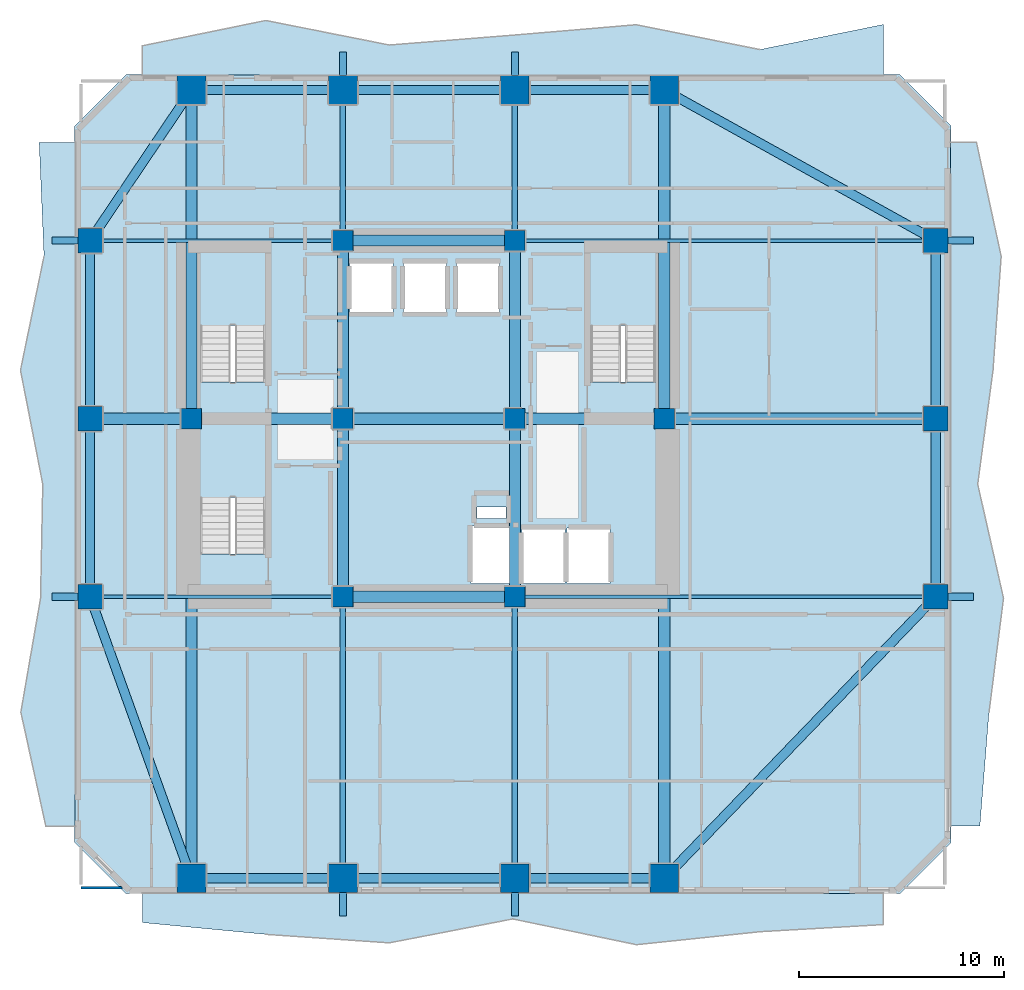
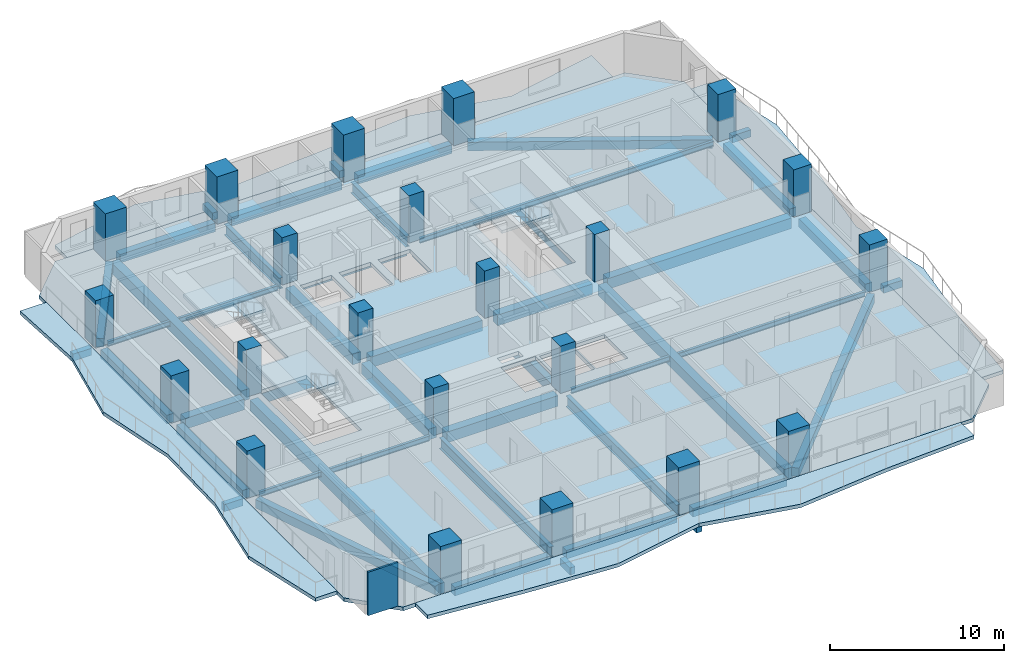
# One storey, part 1 of 10: 45 beams, 22 columns, 8 slabs, 1 wall, 3 elements without a shape of their own.
"""IFC4 building model written with IfcOpenShell, lengths in metres."""

from ifc_helpers import new_model, si_unit, direction, frame, frame_2d, origin, origin_2d, place, context, subcontext, project, spatial, polyline, rectangle, i_section, outline, extrude, material, layer, layer_set, material_profile, profile_set, type_object, element, aggregate, save


model = new_model("IFC4")

# Units and contexts
model_context = context("Model", 3, precision=1e-05, world=origin(), true_north=direction((0.0, 1.0)))
body_context = subcontext(model_context, "Body", "Model", "MODEL_VIEW")
ifc_project = project(units=[si_unit("LENGTHUNIT", "METRE"), si_unit("AREAUNIT", "SQUARE_METRE"), si_unit("VOLUMEUNIT", "CUBIC_METRE"), si_unit("PLANEANGLEUNIT", "RADIAN"), si_unit("MASSUNIT", "GRAM", prefix="KILO")], contexts=[model_context])

# Site, building, storey
site_placement = place(None, origin())
site = spatial("IfcSite", under=ifc_project, at=site_placement, CompositionType="ELEMENT")
building_placement = place(site_placement, origin())
building = spatial("IfcBuilding", under=site, at=building_placement, Name="Solanera Arch Residences", CompositionType="ELEMENT")
storey_placement = place(building_placement, frame((0.0, 0.0, 51.8798828125)))
storey = spatial("IfcBuildingStorey", under=building, at=storey_placement, Name="L14", CompositionType="ELEMENT", Elevation=51.8798828125)

# Columns
ifc_material_1 = material(Name="Concrete C55/67 (f'c = 60 MPa)", Category="concrete")
ifc_material_profile_1 = material_profile(ifc_material_1, rectangle(XDim=1.0, YDim=1.0, at=origin_2d()))
ifc_profile_set_1 = profile_set([ifc_material_profile_1], Name="Concrete C55/67 (f'c = 60 MPa)")
column_type_1 = type_object("IfcColumnType", Name="Structural Column RC-COL-1000X1000", PredefinedType="COLUMN", material=ifc_profile_set_1)
for number, where, z_axis, x_axis, name in (
    (1, (20.800048828125, 22.0, 0.0), (0.0, 0.0, 1.0), (1.0, 0.0, 0.0), "COL-L14-CB-SW"),
    (2, (29.199951171875, 22.0, 0.0), (0.0, 0.0, 1.0), (1.0, 0.0, 0.0), "COL-L14-CB-SE"),
    (3, (20.800048828125, 39.39990234375, 0.0), (0.0, 0.0, 1.0), (1.0, 0.0, 0.0), "COL-L14-CB-NW"),
    (4, (29.199951171875, 39.39990234375, 0.0), (0.0, 0.0, 1.0), (1.0, 0.0, 0.0), "COL-L14-CB-NE"),
    (5, (13.39990234375, 30.699951171875, 0.0), (0.0, 0.0, 1.0), (1.0, 0.0, 0.0), "COL-L14-CB-WW"),
    (6, (36.5, 30.699951171875, 0.0), (0.0, 0.0, 1.0), (1.0, 0.0, 0.0), "COL-L14-CB-EE"),
    (7, (20.800048828125, 30.699951171875, 0.0), (0.0, 0.0, 1.0), (1.0, 0.0, 0.0), "COL-L14-CORE-W"),
    (8, (29.199951171875, 30.699951171875, 0.0), (0.0, 0.0, 1.0), (1.0, 0.0, 0.0), "COL-L14-CORE-E"),
):
    element("IfcColumn", number, at=place(storey_placement, frame(where, z_axis=z_axis, x_axis=x_axis)), inside=storey, type_object=column_type_1, Name=name, PredefinedType="COLUMN", context=body_context, shape_type="SweptSolid", body=[
        extrude(rectangle(XDim=1.0, YDim=1.0, at=origin_2d()), origin(), (0.0, 0.0, 1.0), 3.320068359375),
    ])
ifc_material_2 = material(Name="Concrete C55/67 (f'c = 60 MPa)", Category="concrete")
ifc_material_profile_2 = material_profile(ifc_material_2, rectangle(XDim=1.199951171875, YDim=1.199951171875, at=origin_2d()))
ifc_profile_set_2 = profile_set([ifc_material_profile_2], Name="Concrete C55/67 (f'c = 60 MPa)")
column_type_2 = type_object("IfcColumnType", Name="Structural Column RC-COL-1200X1200", PredefinedType="COLUMN", material=ifc_profile_set_2)
for number, where, z_axis, x_axis, name in (
    (9, (8.449951171875, 22.0, 0.0), (0.0, 0.0, 1.0), (1.0, 0.0, 0.0), "COL-L14-TWR-09"),
    (10, (49.75, 22.0, 0.0), (0.0, 0.0, 1.0), (1.0, 0.0, 0.0), "COL-L14-TWR-10"),
    (11, (8.449951171875, 30.699951171875, 0.0), (0.0, 0.0, 1.0), (1.0, 0.0, 0.0), "COL-L14-TWR-11"),
    (12, (49.75, 30.699951171875, 0.0), (0.0, 0.0, 1.0), (1.0, 0.0, 0.0), "COL-L14-TWR-12"),
    (13, (8.449951171875, 39.39990234375, 0.0), (0.0, 0.0, 1.0), (1.0, 0.0, 0.0), "COL-L14-TWR-13"),
    (14, (49.75, 39.39990234375, 0.0), (0.0, 0.0, 1.0), (1.0, 0.0, 0.0), "COL-L14-TWR-14"),
):
    element("IfcColumn", number, at=place(storey_placement, frame(where, z_axis=z_axis, x_axis=x_axis)), inside=storey, type_object=column_type_2, Name=name, PredefinedType="COLUMN", context=body_context, shape_type="SweptSolid", body=[
        extrude(rectangle(XDim=1.199951171875, YDim=1.199951171875, at=origin_2d()), origin(), (0.0, 0.0, 1.0), 3.320068359375),
    ])
ifc_material_3 = material(Name="Concrete C55/67 (f'c = 60 MPa)", Category="concrete")
ifc_material_profile_3 = material_profile(ifc_material_3, rectangle(XDim=1.39990234375, YDim=1.39990234375, at=origin_2d()))
ifc_profile_set_3 = profile_set([ifc_material_profile_3], Name="Concrete C55/67 (f'c = 60 MPa)")
column_type_3 = type_object("IfcColumnType", Name="Structural Column RC-COL-1400X1400", PredefinedType="COLUMN", material=ifc_profile_set_3)
for number, where, z_axis, x_axis, name in (
    (15, (13.39990234375, 8.25, 0.0), (0.0, 0.0, 1.0), (1.0, 0.0, 0.0), "COL-L14-TWR-01"),
    (16, (13.39990234375, 46.75, 0.0), (0.0, 0.0, 1.0), (1.0, 0.0, 0.0), "COL-L14-TWR-02"),
    (17, (20.800048828125, 8.25, 0.0), (0.0, 0.0, 1.0), (1.0, 0.0, 0.0), "COL-L14-TWR-03"),
    (18, (20.800048828125, 46.75, 0.0), (0.0, 0.0, 1.0), (1.0, 0.0, 0.0), "COL-L14-TWR-04"),
    (19, (29.199951171875, 8.25, 0.0), (0.0, 0.0, 1.0), (1.0, 0.0, 0.0), "COL-L14-TWR-05"),
    (20, (29.199951171875, 46.75, 0.0), (0.0, 0.0, 1.0), (1.0, 0.0, 0.0), "COL-L14-TWR-06"),
    (21, (36.5, 8.25, 0.0), (0.0, 0.0, 1.0), (1.0, 0.0, 0.0), "COL-L14-TWR-07"),
    (22, (36.5, 46.75, 0.0), (0.0, 0.0, 1.0), (1.0, 0.0, 0.0), "COL-L14-TWR-08"),
):
    element("IfcColumn", number, at=place(storey_placement, frame(where, z_axis=z_axis, x_axis=x_axis)), inside=storey, type_object=column_type_3, Name=name, PredefinedType="COLUMN", context=body_context, shape_type="SweptSolid", body=[
        extrude(rectangle(XDim=1.39990234375, YDim=1.39990234375, at=origin_2d()), origin(), (0.0, 0.0, 1.0), 3.320068359375),
    ])

# Beams
ifc_material_4 = material(Name="Concrete C40/50 (f'c = 45 MPa)", Category="concrete")
ifc_material_profile_4 = material_profile(ifc_material_4, rectangle(XDim=0.35009765625, YDim=0.5, at=origin_2d()))
ifc_profile_set_4 = profile_set([ifc_material_profile_4], Name="Concrete C40/50 (f'c = 45 MPa)")
beam_type_1 = type_object("IfcBeamType", Name="BM-BALC-RIB", PredefinedType="BEAM", material=ifc_profile_set_4)
for number, where, z_axis, x_axis, name in (
    (23, (20.800048828125, 6.39990234375, -0.5), (0.0, 1.0, 0.0), (-1.0, 0.0, 0.0), "BM-L14-BRIB-S1"),
    (24, (29.199951171875, 6.39990234375, -0.5), (0.0, 1.0, 0.0), (-1.0, 0.0, 0.0), "BM-L14-BRIB-S2"),
    (25, (20.800048828125, 47.449951171875, -0.5), (0.0, 1.0, 0.0), (-1.0, 0.0, 0.0), "BM-L14-BRIB-N1"),
    (26, (29.199951171875, 47.449951171875, -0.5), (0.0, 1.0, 0.0), (-1.0, 0.0, 0.0), "BM-L14-BRIB-N2"),
):
    element("IfcBeam", number, at=place(storey_placement, frame(where, z_axis=z_axis, x_axis=x_axis)), inside=storey, type_object=beam_type_1, Name=name, PredefinedType="BEAM", context=body_context, shape_type="SweptSolid", body=[
        extrude(rectangle(XDim=0.35009765625, YDim=0.5, at=origin_2d()), origin(), (0.0, 0.0, 1.0), 1.150146484375),
    ])
for number, where, z_axis, x_axis, name in (
    (27, (50.35009765625, 22.0, -0.5), (1.0, 0.0, 0.0), (0.0, 1.0, 0.0), "BM-L14-BRIB-E1"),
    (28, (50.35009765625, 39.39990234375, -0.5), (1.0, 0.0, 0.0), (0.0, 1.0, 0.0), "BM-L14-BRIB-E2"),
    (29, (6.60009765625, 22.0, -0.5), (1.0, 0.0, 0.0), (0.0, 1.0, 0.0), "BM-L14-BRIB-W1"),
    (30, (6.60009765625, 39.39990234375, -0.5), (1.0, 0.0, 0.0), (0.0, 1.0, 0.0), "BM-L14-BRIB-W2"),
):
    element("IfcBeam", number, at=place(storey_placement, frame(where, z_axis=z_axis, x_axis=x_axis)), inside=storey, type_object=beam_type_1, Name=name, PredefinedType="BEAM", context=body_context, shape_type="SweptSolid", body=[
        extrude(rectangle(XDim=0.35009765625, YDim=0.5, at=origin_2d()), origin(), (0.0, 0.0, 1.0), 1.25),
    ])
ifc_material_5 = material(Name="Concrete C40/50 (f'c = 45 MPa)", Category="concrete")
ifc_material_profile_5 = material_profile(ifc_material_5, rectangle(XDim=0.550048828125, YDim=0.75, at=origin_2d()))
ifc_profile_set_5 = profile_set([ifc_material_profile_5], Name="Concrete C40/50 (f'c = 45 MPa)")
beam_type_2 = type_object("IfcBeamType", Name="Primary Beam RC-BM-550X750", PredefinedType="BEAM", material=ifc_profile_set_5)
beam_1_placement = place(storey_placement, frame((20.800048828125, 22.50390625, -0.634765625), z_axis=(0.0, 1.0, 0.0), x_axis=(-1.0, 0.0, 0.0)))
element("IfcBeam", 31, at=beam_1_placement, inside=storey, type_object=beam_type_2, Name="BM-L14-CC-S-208", PredefinedType="BEAM", context=body_context, shape_type="SweptSolid", body=[
    extrude(rectangle(XDim=0.550048828125, YDim=0.75, at=origin_2d()), origin(), (0.0, 0.0, 1.0), 7.692138671875),
])
beam_2_placement = place(storey_placement, frame((20.800048828125, 31.2041015625, -0.634765625), z_axis=(0.0, 1.0, 0.0), x_axis=(-1.0, 0.0, 0.0)))
element("IfcBeam", 32, at=beam_2_placement, inside=storey, type_object=beam_type_2, Name="BM-L14-CC-N-208", PredefinedType="BEAM", context=body_context, shape_type="SweptSolid", body=[
    extrude(rectangle(XDim=0.550048828125, YDim=0.75, at=origin_2d()), origin(), (0.0, 0.0, 1.0), 7.69189453125),
])
beam_3_placement = place(storey_placement, frame((29.199951171875, 22.50390625, -0.634765625), z_axis=(0.0, 1.0, 0.0), x_axis=(-1.0, 0.0, 0.0)))
element("IfcBeam", 33, at=beam_3_placement, inside=storey, type_object=beam_type_2, Name="BM-L14-CC-S-292", PredefinedType="BEAM", context=body_context, shape_type="SweptSolid", body=[
    extrude(rectangle(XDim=0.550048828125, YDim=0.75, at=origin_2d()), origin(), (0.0, 0.0, 1.0), 7.692138671875),
])
beam_4_placement = place(storey_placement, frame((29.199951171875, 31.2041015625, -0.634765625), z_axis=(0.0, 1.0, 0.0), x_axis=(-1.0, 0.0, 0.0)))
element("IfcBeam", 34, at=beam_4_placement, inside=storey, type_object=beam_type_2, Name="BM-L14-CC-N-292", PredefinedType="BEAM", context=body_context, shape_type="SweptSolid", body=[
    extrude(rectangle(XDim=0.550048828125, YDim=0.75, at=origin_2d()), origin(), (0.0, 0.0, 1.0), 7.69189453125),
])
for number, where, z_axis, x_axis, name in (
    (35, (21.303955078125, 22.0, -0.634765625), (1.0, 0.0, 0.0), (0.0, 1.0, 0.0), "BM-L14-CC-M-220"),
    (36, (21.303955078125, 30.699951171875, -0.634765625), (1.0, 0.0, 0.0), (0.0, 1.0, 0.0), "BM-L14-CC-M-307"),
    (37, (21.303955078125, 39.39990234375, -0.634765625), (1.0, 0.0, 0.0), (0.0, 1.0, 0.0), "BM-L14-CC-M-394"),
):
    element("IfcBeam", number, at=place(storey_placement, frame(where, z_axis=z_axis, x_axis=x_axis)), inside=storey, type_object=beam_type_2, Name=name, PredefinedType="BEAM", context=body_context, shape_type="SweptSolid", body=[
        extrude(rectangle(XDim=0.550048828125, YDim=0.75, at=origin_2d()), origin(), (0.0, 0.0, 1.0), 7.39208984375),
    ])
beam_5_placement = place(storey_placement, frame((13.904052734375, 30.699951171875, -0.634765625), z_axis=(1.0, 0.0, 0.0), x_axis=(0.0, 1.0, 0.0)))
element("IfcBeam", 38, at=beam_5_placement, inside=storey, type_object=beam_type_2, Name="BM-L14-CC-W", PredefinedType="BEAM", context=body_context, shape_type="SweptSolid", body=[
    extrude(rectangle(XDim=0.550048828125, YDim=0.75, at=origin_2d()), origin(), (0.0, 0.0, 1.0), 6.391845703125),
])
beam_6_placement = place(storey_placement, frame((29.7041015625, 30.699951171875, -0.634765625), z_axis=(1.0, 0.0, 0.0), x_axis=(0.0, 1.0, 0.0)))
element("IfcBeam", 39, at=beam_6_placement, inside=storey, type_object=beam_type_2, Name="BM-L14-CC-E", PredefinedType="BEAM", context=body_context, shape_type="SweptSolid", body=[
    extrude(rectangle(XDim=0.550048828125, YDim=0.75, at=origin_2d()), origin(), (0.0, 0.0, 1.0), 6.2919921875),
])
beam_7_placement = place(storey_placement, frame((13.39990234375, 8.7900390625, -0.634765625), z_axis=(0.0, 1.0, 0.0), x_axis=(-1.0, 0.0, 0.0)))
element("IfcBeam", 40, at=beam_7_placement, inside=storey, type_object=beam_type_2, Name="BM-L14-RAD-OS-134", PredefinedType="BEAM", context=body_context, shape_type="SweptSolid", body=[
    extrude(rectangle(XDim=0.550048828125, YDim=0.75, at=origin_2d()), origin(), (0.0, 0.0, 1.0), 21.406005859375),
])
beam_8_placement = place(storey_placement, frame((13.39990234375, 31.2041015625, -0.634765625), z_axis=(0.0, 1.0, 0.0), x_axis=(-1.0, 0.0, 0.0)))
element("IfcBeam", 41, at=beam_8_placement, inside=storey, type_object=beam_type_2, Name="BM-L14-RAD-ON-134", PredefinedType="BEAM", context=body_context, shape_type="SweptSolid", body=[
    extrude(rectangle(XDim=0.550048828125, YDim=0.75, at=origin_2d()), origin(), (0.0, 0.0, 1.0), 15.005859375),
])
beam_9_placement = place(storey_placement, frame((36.5, 8.7900390625, -0.634765625), z_axis=(0.0, 1.0, 0.0), x_axis=(-1.0, 0.0, 0.0)))
element("IfcBeam", 42, at=beam_9_placement, inside=storey, type_object=beam_type_2, Name="BM-L14-RAD-OS-365", PredefinedType="BEAM", context=body_context, shape_type="SweptSolid", body=[
    extrude(rectangle(XDim=0.550048828125, YDim=0.75, at=origin_2d()), origin(), (0.0, 0.0, 1.0), 21.406005859375),
])
beam_10_placement = place(storey_placement, frame((36.5, 31.2041015625, -0.634765625), z_axis=(0.0, 1.0, 0.0), x_axis=(-1.0, 0.0, 0.0)))
element("IfcBeam", 43, at=beam_10_placement, inside=storey, type_object=beam_type_2, Name="BM-L14-RAD-ON-365", PredefinedType="BEAM", context=body_context, shape_type="SweptSolid", body=[
    extrude(rectangle(XDim=0.550048828125, YDim=0.75, at=origin_2d()), origin(), (0.0, 0.0, 1.0), 15.005859375),
])
beam_11_placement = place(storey_placement, frame((8.989990234375, 30.699951171875, -0.634765625), z_axis=(1.0, 0.0, 0.0), x_axis=(0.0, 1.0, 0.0)))
element("IfcBeam", 44, at=beam_11_placement, inside=storey, type_object=beam_type_2, Name="BM-L14-RAD-MW", PredefinedType="BEAM", context=body_context, shape_type="SweptSolid", body=[
    extrude(rectangle(XDim=0.550048828125, YDim=0.75, at=origin_2d()), origin(), (0.0, 0.0, 1.0), 3.906005859375),
])
beam_12_placement = place(storey_placement, frame((37.00390625, 30.699951171875, -0.634765625), z_axis=(1.0, 0.0, 0.0), x_axis=(0.0, 1.0, 0.0)))
element("IfcBeam", 45, at=beam_12_placement, inside=storey, type_object=beam_type_2, Name="BM-L14-RAD-ME", PredefinedType="BEAM", context=body_context, shape_type="SweptSolid", body=[
    extrude(rectangle(XDim=0.550048828125, YDim=0.75, at=origin_2d()), origin(), (0.0, 0.0, 1.0), 12.2060546875),
])
ifc_material_6 = material(Name="Steel S355 (ASTM A992 / A572 Grade 50)", Category="steel")
ifc_material_profile_6 = material_profile(ifc_material_6, i_section(OverallWidth=0.26806640625, OverallDepth=0.77001953125, WebThickness=0.015625, FlangeThickness=0.025390625, at=origin_2d()))
ifc_profile_set_6 = profile_set([ifc_material_profile_6], Name="Steel S355 (ASTM A992 / A572 Grade 50)")
beam_type_3 = type_object("IfcBeamType", Name="Primary Beam W760X196", PredefinedType="BEAM", material=ifc_profile_set_6)
beam_13_placement = place(storey_placement, frame((20.800048828125, 8.7900390625, -0.644775390625), z_axis=(0.0, 1.0, 0.0), x_axis=(-1.0, 0.0, 0.0)))
element("IfcBeam", 46, at=beam_13_placement, inside=storey, type_object=beam_type_3, Name="BM-L14-RAD-S-208", PredefinedType="BEAM", context=body_context, shape_type="SweptSolid", body=[
    extrude(i_section(OverallWidth=0.26806640625, OverallDepth=0.77001953125, WebThickness=0.015625, FlangeThickness=0.025390625, at=origin_2d()), origin(), (0.0, 0.0, 1.0), 12.7060546875),
])
beam_14_placement = place(storey_placement, frame((20.800048828125, 39.904052734375, -0.644775390625), z_axis=(0.0, 1.0, 0.0), x_axis=(-1.0, 0.0, 0.0)))
element("IfcBeam", 47, at=beam_14_placement, inside=storey, type_object=beam_type_3, Name="BM-L14-RAD-N-208", PredefinedType="BEAM", context=body_context, shape_type="SweptSolid", body=[
    extrude(i_section(OverallWidth=0.26806640625, OverallDepth=0.77001953125, WebThickness=0.015625, FlangeThickness=0.025390625, at=origin_2d()), origin(), (0.0, 0.0, 1.0), 6.305908203125),
])
beam_15_placement = place(storey_placement, frame((29.199951171875, 8.7900390625, -0.644775390625), z_axis=(0.0, 1.0, 0.0), x_axis=(-1.0, 0.0, 0.0)))
element("IfcBeam", 48, at=beam_15_placement, inside=storey, type_object=beam_type_3, Name="BM-L14-RAD-S-292", PredefinedType="BEAM", context=body_context, shape_type="SweptSolid", body=[
    extrude(i_section(OverallWidth=0.26806640625, OverallDepth=0.77001953125, WebThickness=0.015625, FlangeThickness=0.025390625, at=origin_2d()), origin(), (0.0, 0.0, 1.0), 12.7060546875),
])
beam_16_placement = place(storey_placement, frame((29.199951171875, 39.904052734375, -0.644775390625), z_axis=(0.0, 1.0, 0.0), x_axis=(-1.0, 0.0, 0.0)))
element("IfcBeam", 49, at=beam_16_placement, inside=storey, type_object=beam_type_3, Name="BM-L14-RAD-N-292", PredefinedType="BEAM", context=body_context, shape_type="SweptSolid", body=[
    extrude(i_section(OverallWidth=0.26806640625, OverallDepth=0.77001953125, WebThickness=0.015625, FlangeThickness=0.025390625, at=origin_2d()), origin(), (0.0, 0.0, 1.0), 6.305908203125),
])
ifc_material_7 = material(Name="Steel S355 (ASTM A992 / A572 Grade 50)", Category="steel")
ifc_material_profile_7 = material_profile(ifc_material_7, i_section(OverallWidth=0.172119140625, OverallDepth=0.35791015625, WebThickness=0.0078125, FlangeThickness=0.01318359375, at=origin_2d()))
ifc_profile_set_7 = profile_set([ifc_material_profile_7], Name="Steel S355 (ASTM A992 / A572 Grade 50)")
beam_type_4 = type_object("IfcBeamType", Name="Secondary Joist W360X57.8", PredefinedType="JOIST", material=ifc_profile_set_7)
beam_17_placement = place(storey_placement, frame((8.989990234375, 22.0, -0.43896484375), z_axis=(1.0, 0.0, 0.0), x_axis=(0.0, 1.0, 0.0)))
element("IfcBeam", 50, at=beam_17_placement, inside=storey, type_object=beam_type_4, Name="BM-L14-RAD-W-220", PredefinedType="JOIST", context=body_context, shape_type="SweptSolid", body=[
    extrude(i_section(OverallWidth=0.172119140625, OverallDepth=0.35791015625, WebThickness=0.0078125, FlangeThickness=0.01318359375, at=origin_2d()), origin(), (0.0, 0.0, 1.0), 11.305908203125),
])
beam_18_placement = place(storey_placement, frame((29.7041015625, 22.0, -0.43896484375), z_axis=(1.0, 0.0, 0.0), x_axis=(0.0, 1.0, 0.0)))
element("IfcBeam", 51, at=beam_18_placement, inside=storey, type_object=beam_type_4, Name="BM-L14-RAD-E-220", PredefinedType="JOIST", context=body_context, shape_type="SweptSolid", body=[
    extrude(i_section(OverallWidth=0.172119140625, OverallDepth=0.35791015625, WebThickness=0.0078125, FlangeThickness=0.01318359375, at=origin_2d()), origin(), (0.0, 0.0, 1.0), 19.505859375),
])
beam_19_placement = place(storey_placement, frame((8.989990234375, 39.39990234375, -0.43896484375), z_axis=(1.0, 0.0, 0.0), x_axis=(0.0, 1.0, 0.0)))
element("IfcBeam", 52, at=beam_19_placement, inside=storey, type_object=beam_type_4, Name="BM-L14-RAD-W-394", PredefinedType="JOIST", context=body_context, shape_type="SweptSolid", body=[
    extrude(i_section(OverallWidth=0.172119140625, OverallDepth=0.35791015625, WebThickness=0.0078125, FlangeThickness=0.01318359375, at=origin_2d()), origin(), (0.0, 0.0, 1.0), 11.305908203125),
])
beam_20_placement = place(storey_placement, frame((29.7041015625, 39.39990234375, -0.43896484375), z_axis=(1.0, 0.0, 0.0), x_axis=(0.0, 1.0, 0.0)))
element("IfcBeam", 53, at=beam_20_placement, inside=storey, type_object=beam_type_4, Name="BM-L14-RAD-E-394", PredefinedType="JOIST", context=body_context, shape_type="SweptSolid", body=[
    extrude(i_section(OverallWidth=0.172119140625, OverallDepth=0.35791015625, WebThickness=0.0078125, FlangeThickness=0.01318359375, at=origin_2d()), origin(), (0.0, 0.0, 1.0), 19.505859375),
])
ifc_material_8 = material(Name="Concrete C40/50 (f'c = 45 MPa)", Category="concrete")
ifc_material_profile_8 = material_profile(ifc_material_8, rectangle(XDim=0.449951171875, YDim=0.60009765625, at=origin_2d()))
ifc_profile_set_8 = profile_set([ifc_material_profile_8], Name="Concrete C40/50 (f'c = 45 MPa)")
beam_type_5 = type_object("IfcBeamType", Name="Spandrel Beam RC-BM-450X600", PredefinedType="SPANDREL", material=ifc_profile_set_8)
for number, where, z_axis, x_axis, name in (
    (54, (13.93994140625, 8.25, -0.559814453125), (1.0, 0.0, 0.0), (0.0, 1.0, 0.0), "BM-L14-SPN-S-1"),
    (55, (13.93994140625, 46.75, -0.559814453125), (1.0, 0.0, 0.0), (0.0, 1.0, 0.0), "BM-L14-SPN-N-1"),
):
    element("IfcBeam", number, at=place(storey_placement, frame(where, z_axis=z_axis, x_axis=x_axis)), inside=storey, type_object=beam_type_5, Name=name, PredefinedType="SPANDREL", context=body_context, shape_type="SweptSolid", body=[
        extrude(rectangle(XDim=0.449951171875, YDim=0.60009765625, at=origin_2d()), origin(), (0.0, 0.0, 1.0), 6.320068359375),
    ])
for number, where, z_axis, x_axis, name in (
    (56, (21.340087890625, 8.25, -0.559814453125), (1.0, 0.0, 0.0), (0.0, 1.0, 0.0), "BM-L14-SPN-S-2"),
    (57, (21.340087890625, 46.75, -0.559814453125), (1.0, 0.0, 0.0), (0.0, 1.0, 0.0), "BM-L14-SPN-N-2"),
):
    element("IfcBeam", number, at=place(storey_placement, frame(where, z_axis=z_axis, x_axis=x_axis)), inside=storey, type_object=beam_type_5, Name=name, PredefinedType="SPANDREL", context=body_context, shape_type="SweptSolid", body=[
        extrude(rectangle(XDim=0.449951171875, YDim=0.60009765625, at=origin_2d()), origin(), (0.0, 0.0, 1.0), 7.31982421875),
    ])
for number, where, z_axis, x_axis, name in (
    (58, (29.739990234375, 8.25, -0.559814453125), (1.0, 0.0, 0.0), (0.0, 1.0, 0.0), "BM-L14-SPN-S-3"),
    (59, (29.739990234375, 46.75, -0.559814453125), (1.0, 0.0, 0.0), (0.0, 1.0, 0.0), "BM-L14-SPN-N-3"),
):
    element("IfcBeam", number, at=place(storey_placement, frame(where, z_axis=z_axis, x_axis=x_axis)), inside=storey, type_object=beam_type_5, Name=name, PredefinedType="SPANDREL", context=body_context, shape_type="SweptSolid", body=[
        extrude(rectangle(XDim=0.449951171875, YDim=0.60009765625, at=origin_2d()), origin(), (0.0, 0.0, 1.0), 6.219970703125),
    ])
for number, where, z_axis, x_axis, name in (
    (60, (8.449951171875, 22.5400390625, -0.559814453125), (0.0, 1.0, 0.0), (-1.0, 0.0, 0.0), "BM-L14-SPN-W-1"),
    (61, (49.75, 22.5400390625, -0.559814453125), (0.0, 1.0, 0.0), (-1.0, 0.0, 0.0), "BM-L14-SPN-E-1"),
):
    element("IfcBeam", number, at=place(storey_placement, frame(where, z_axis=z_axis, x_axis=x_axis)), inside=storey, type_object=beam_type_5, Name=name, PredefinedType="SPANDREL", context=body_context, shape_type="SweptSolid", body=[
        extrude(rectangle(XDim=0.449951171875, YDim=0.60009765625, at=origin_2d()), origin(), (0.0, 0.0, 1.0), 7.619873046875),
    ])
for number, where, z_axis, x_axis, name in (
    (62, (8.449951171875, 31.239990234375, -0.559814453125), (0.0, 1.0, 0.0), (-1.0, 0.0, 0.0), "BM-L14-SPN-W-2"),
    (63, (49.75, 31.239990234375, -0.559814453125), (0.0, 1.0, 0.0), (-1.0, 0.0, 0.0), "BM-L14-SPN-E-2"),
):
    element("IfcBeam", number, at=place(storey_placement, frame(where, z_axis=z_axis, x_axis=x_axis)), inside=storey, type_object=beam_type_5, Name=name, PredefinedType="SPANDREL", context=body_context, shape_type="SweptSolid", body=[
        extrude(rectangle(XDim=0.449951171875, YDim=0.60009765625, at=origin_2d()), origin(), (0.0, 0.0, 1.0), 7.6201171875),
    ])
beam_21_placement = place(storey_placement, frame((13.217041015625, 8.758056640625, -0.559814453125), z_axis=(-0.338705414976, 0.940892470937, 0.0), x_axis=(-0.940892470937, -0.338705414976, 0.0)))
element("IfcBeam", 64, at=beam_21_placement, inside=storey, type_object=beam_type_5, Name="BM-L14-SPN-SW", PredefinedType="SPANDREL", context=body_context, shape_type="SweptSolid", body=[
    extrude(rectangle(XDim=0.449951171875, YDim=0.60009765625, at=origin_2d()), origin(), (0.0, 0.0, 1.0), 13.533935546875),
])
beam_22_placement = place(storey_placement, frame((13.097900390625, 46.302001953125, -0.559814453125), z_axis=(-0.558539143669, -0.829478164263, 0.0), x_axis=(0.829478164263, -0.558539143669, 0.0)))
element("IfcBeam", 65, at=beam_22_placement, inside=storey, type_object=beam_type_5, Name="BM-L14-SPN-NW", PredefinedType="SPANDREL", context=body_context, shape_type="SweptSolid", body=[
    extrude(rectangle(XDim=0.449951171875, YDim=0.60009765625, at=origin_2d()), origin(), (0.0, 0.0, 1.0), 7.781005859375),
])
beam_23_placement = place(storey_placement, frame((36.875, 8.638916015625, -0.559814453125), z_axis=(0.69388020893, 0.720090449635, 0.0), x_axis=(-0.720090449635, 0.69388020893, 0.0)))
element("IfcBeam", 66, at=beam_23_placement, inside=storey, type_object=beam_type_5, Name="BM-L14-SPN-SE", PredefinedType="SPANDREL", context=body_context, shape_type="SweptSolid", body=[
    extrude(rectangle(XDim=0.449951171875, YDim=0.60009765625, at=origin_2d()), origin(), (0.0, 0.0, 1.0), 18.0146484375),
])
beam_24_placement = place(storey_placement, frame((36.971923828125, 46.488037109375, -0.559814453125), z_axis=(0.874483596047, -0.485055089907, 0.0), x_axis=(0.485055089907, 0.874483596047, 0.0)))
element("IfcBeam", 67, at=beam_24_placement, inside=storey, type_object=beam_type_5, Name="BM-L14-SPN-NE", PredefinedType="SPANDREL", context=body_context, shape_type="SweptSolid", body=[
    extrude(rectangle(XDim=0.449951171875, YDim=0.60009765625, at=origin_2d()), origin(), (0.0, 0.0, 1.0), 14.072509765625),
])

# Slabs
ifc_material_9 = material(Name="Concrete C40/50 (f'c = 45 MPa)", Category="concrete")
ifc_layer_1 = layer(ifc_material_9, 0.25)
ifc_layer_set_1 = layer_set([ifc_layer_1], Name="Concrete C40/50 (f'c = 45 MPa)")
slab_type_1 = type_object("IfcSlabType", Name="Balcony Slab 250", PredefinedType="FLOOR", material=ifc_layer_set_1)
slab_1_placement = place(storey_placement, frame((0.0, 0.0, -0.25)))
element("IfcSlab", 68, at=slab_1_placement, inside=storey, type_object=slab_type_1, Name="L14 S Rippling Brise-Soleil Balcony Slab", PredefinedType="FLOOR", context=body_context, shape_type="SweptSolid", body=[
    extrude(outline(polyline([(11.0, 6.087890625), (17.032958984375, 5.513916015625), (23.06689453125, 5.09912109375), (29.10009765625, 6.26708984375), (35.133056640625, 5.008056640625), (41.1669921875, 5.64306640625), (47.199951171875, 5.991943359375), (47.199951171875, 7.52001953125), (11.0, 7.52001953125), (11.0, 6.087890625)])), origin(), (0.0, 0.0, 1.0), 0.25),
])
slab_2_placement = place(storey_placement, frame((0.0, 0.0, -0.25)))
element("IfcSlab", 69, at=slab_2_placement, inside=storey, type_object=slab_type_1, Name="L14 N Rippling Brise-Soleil Balcony Slab", PredefinedType="FLOOR", context=body_context, shape_type="SweptSolid", body=[
    extrude(outline(polyline([(47.199951171875, 49.955078125), (41.1669921875, 48.72998046875), (35.133056640625, 49.94189453125), (29.10009765625, 49.430908203125), (23.06689453125, 48.950927734375), (17.032958984375, 50.14892578125), (11.0, 48.912109375), (11.0, 47.47998046875), (47.199951171875, 47.47998046875), (47.199951171875, 49.955078125)])), origin(), (0.0, 0.0, 1.0), 0.25),
])
slab_3_placement = place(storey_placement, frame((0.0, 0.0, -0.25)))
element("IfcSlab", 70, at=slab_3_placement, inside=storey, type_object=slab_type_1, Name="L14 E Rippling Brise-Soleil Balcony Slab", PredefinedType="FLOOR", context=body_context, shape_type="SweptSolid", body=[
    extrude(outline(polyline([(51.912109375, 10.800048828125), (52.35693359375, 16.366943359375), (53.06396484375, 21.93310546875), (51.802978515625, 27.5), (52.551025390625, 33.06689453125), (52.948974609375, 38.633056640625), (51.741943359375, 44.199951171875), (50.47998046875, 44.199951171875), (50.47998046875, 10.800048828125), (51.912109375, 10.800048828125)])), origin(), (0.0, 0.0, 1.0), 0.25),
])
slab_4_placement = place(storey_placement, frame((0.0, 0.0, -0.25)))
element("IfcSlab", 71, at=slab_4_placement, inside=storey, type_object=slab_type_1, Name="L14 W Rippling Brise-Soleil Balcony Slab", PredefinedType="FLOOR", context=body_context, shape_type="SweptSolid", body=[
    extrude(outline(polyline([(5.9619140625, 44.199951171875), (6.199951171875, 38.633056640625), (5.051025390625, 33.06689453125), (6.138916015625, 27.5), (6.031982421875, 21.93310546875), (5.068115234375, 16.366943359375), (6.2880859375, 10.800048828125), (7.719970703125, 10.800048828125), (7.719970703125, 44.199951171875), (5.9619140625, 44.199951171875)])), origin(), (0.0, 0.0, 1.0), 0.25),
])

# Stair, slab
ifc_material_10 = material(Name="Concrete C40/50 (f'c = 45 MPa)", Category="concrete")
stair_type = type_object("IfcStairType", Name="Tower Dogleg Exit Stair 1480", PredefinedType="HALF_TURN_STAIR", material=ifc_material_10)
stair_1_placement = place(storey_placement, origin())
stair_1 = element("IfcStair", 72, at=stair_1_placement, inside=storey, type_object=stair_type, Name="L14 Tower Core Exit Stair 1", PredefinedType="HALF_TURN_STAIR")
ifc_material_11 = material(Name="Concrete C40/50 (f'c = 45 MPa)", Category="concrete")
ifc_layer_2 = layer(ifc_material_11, 0.199951171875)
ifc_layer_set_2 = layer_set([ifc_layer_2], Name="Concrete C40/50 (f'c = 45 MPa)")
slab_type_2 = type_object("IfcSlabType", Name="Stair Half-Landing Slab 200", PredefinedType="LANDING", material=ifc_layer_set_2)
slab_5_placement = place(storey_placement, frame((0.0, 0.0, 1.460205078125)))
slab_5 = element("IfcSlab", 73, at=slab_5_placement, type_object=slab_type_2, Name="ST-T1 landing 1", PredefinedType="LANDING", context=body_context, shape_type="SweptSolid", body=[
    extrude(outline(polyline([(17.1201171875, 35.260009765625), (17.1201171875, 38.919921875), (13.719970703125, 38.919921875), (13.719970703125, 35.260009765625), (17.1201171875, 35.260009765625)])), origin(), (0.0, 0.0, 1.0), 0.199951171875),
])
aggregate(stair_1, [slab_5])

stair_2_placement = place(storey_placement, origin())
stair_2 = element("IfcStair", 74, at=stair_2_placement, inside=storey, type_object=stair_type, Name="L14 Tower Core Exit Stair 2", PredefinedType="HALF_TURN_STAIR")
slab_6_placement = place(storey_placement, frame((0.0, 0.0, 1.460205078125)))
slab_6 = element("IfcSlab", 75, at=slab_6_placement, type_object=slab_type_2, Name="ST-T2 landing 1", PredefinedType="LANDING", context=body_context, shape_type="SweptSolid", body=[
    extrude(outline(polyline([(36.179931640625, 35.260009765625), (36.179931640625, 38.919921875), (32.780029296875, 38.919921875), (32.780029296875, 35.260009765625), (36.179931640625, 35.260009765625)])), origin(), (0.0, 0.0, 1.0), 0.199951171875),
])
aggregate(stair_2, [slab_6])

stair_3_placement = place(storey_placement, origin())
stair_3 = element("IfcStair", 76, at=stair_3_placement, inside=storey, type_object=stair_type, Name="L14 Tower Core Exit Stair 3", PredefinedType="HALF_TURN_STAIR")
slab_7_placement = place(storey_placement, frame((0.0, 0.0, 1.460205078125)))
slab_7 = element("IfcSlab", 77, at=slab_7_placement, type_object=slab_type_2, Name="ST-T3 landing 1", PredefinedType="LANDING", context=body_context, shape_type="SweptSolid", body=[
    extrude(outline(polyline([(17.1201171875, 26.860107421875), (17.1201171875, 30.52001953125), (13.719970703125, 30.52001953125), (13.719970703125, 26.860107421875), (17.1201171875, 26.860107421875)])), origin(), (0.0, 0.0, 1.0), 0.199951171875),
])
aggregate(stair_3, [slab_7])

# Slab
ifc_material_12 = material(Name="Concrete C40/50 (f'c = 45 MPa)", Category="concrete")
ifc_layer_3 = layer(ifc_material_12, 0.260009765625)
ifc_layer_set_3 = layer_set([ifc_layer_3], Name="Concrete C40/50 (f'c = 45 MPa)")
slab_type_3 = type_object("IfcSlabType", Name="Suspended Floor Slab Post-Tensioned 260", PredefinedType="FLOOR", material=ifc_layer_set_3)
slab_8_placement = place(storey_placement, frame((0.0, 0.0, -0.259765625)))
element("IfcSlab", 78, at=slab_8_placement, inside=storey, type_object=slab_type_3, Name="L14 Tower Post-Tensioned Floor Slab", PredefinedType="FLOOR", context=body_context, shape_type="SweptSolid", body=[
    extrude(outline(polyline([(10.199951171875, 7.5), (48.0, 7.5), (50.5, 10.0), (50.5, 45.0), (48.0, 47.5), (10.199951171875, 47.5), (7.699951171875, 45.0), (7.699951171875, 10.0), (10.199951171875, 7.5)]), holes=[polyline([(13.840087890625, 32.48291015625), (13.840087890625, 38.800048828125), (17.0, 38.800048828125), (17.0, 32.48291015625), (13.840087890625, 32.48291015625)]), polyline([(32.89990234375, 32.48291015625), (32.89990234375, 38.800048828125), (36.06005859375, 38.800048828125), (36.06005859375, 32.48291015625), (32.89990234375, 32.48291015625)]), polyline([(13.840087890625, 24.0830078125), (13.840087890625, 30.39990234375), (17.0, 30.39990234375), (17.0, 24.0830078125), (13.840087890625, 24.0830078125)]), polyline([(21.14990234375, 38.35009765625), (23.25, 38.35009765625), (23.25, 35.85009765625), (21.14990234375, 35.85009765625), (21.14990234375, 38.35009765625)]), polyline([(23.75, 38.35009765625), (25.85009765625, 38.35009765625), (25.85009765625, 35.85009765625), (23.75, 35.85009765625), (23.75, 38.35009765625)]), polyline([(26.35009765625, 38.35009765625), (28.449951171875, 38.35009765625), (28.449951171875, 35.85009765625), (26.35009765625, 35.85009765625), (26.35009765625, 38.35009765625)]), polyline([(29.550048828125, 25.35009765625), (31.64990234375, 25.35009765625), (31.64990234375, 22.64990234375), (29.550048828125, 22.64990234375), (29.550048828125, 25.35009765625)]), polyline([(31.75, 25.35009765625), (33.85009765625, 25.35009765625), (33.85009765625, 22.64990234375), (31.75, 22.64990234375), (31.75, 25.35009765625)]), polyline([(27.050048828125, 25.449951171875), (29.35009765625, 25.449951171875), (29.35009765625, 22.64990234375), (27.050048828125, 22.64990234375), (27.050048828125, 25.449951171875)]), polyline([(27.340087890625, 26.3798828125), (28.760009765625, 26.3798828125), (28.760009765625, 25.820068359375), (27.340087890625, 25.820068359375), (27.340087890625, 26.3798828125)])]), origin(), (0.0, 0.0, 1.0), 0.259765625),
])

# Wall
ifc_material_13 = material(Name="Fire-Rated Gypsum Stud Partition", Category="gypsum")
ifc_layer_4 = layer(ifc_material_13, 0.1201171875)
ifc_layer_set_4 = layer_set([ifc_layer_4], Name="Fire-Rated Gypsum Stud Partition")
wall_type = type_object("IfcWallType", Name="Unit Drywall Partition 120", PredefinedType="PARTITIONING", material=ifc_layer_set_4)
wall_placement = place(storey_placement, frame((8.0, 7.800048828125, 0.0), z_axis=(0.0, 0.0, 1.0), x_axis=(1.0, 0.0, 0.0)))
element("IfcWall", 79, at=wall_placement, inside=storey, type_object=wall_type, Name="L14 Interior Partition H20 1", PredefinedType="PARTITIONING", context=body_context, shape_type="SweptSolid", body=[
    extrude(rectangle(XDim=2.0009765625, YDim=0.1201171875, at=frame_2d((1.00048828125, 0.0))), origin(), (0.0, 0.0, 1.0), 3.06005859375),
])

save(model, "model.ifc")
